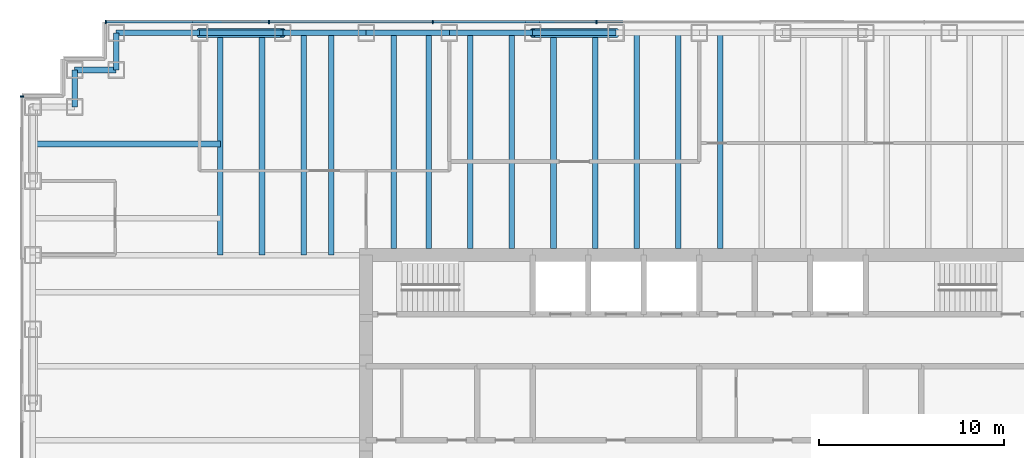
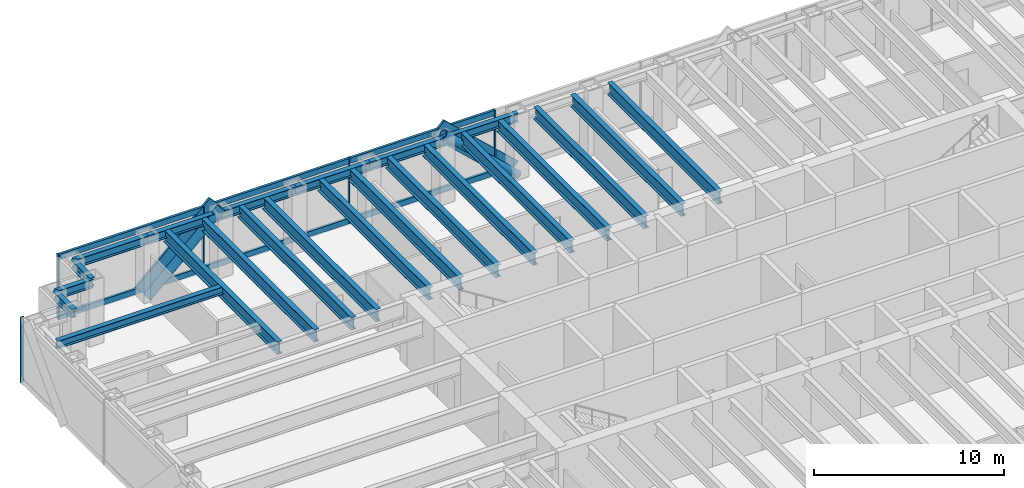
# One storey, part 6 of 15: 23 beams, 15 members, 2 elements without a shape of their own.
"""IFC4 building model written with IfcOpenShell, lengths in metres."""

from ifc_helpers import new_model, si_unit, direction, frame, origin, origin_2d, place, context, subcontext, project, spatial, rectangle, hollow_circle, i_section, extrude, material, material_profile, profile_set, type_object, element, aggregate, save


model = new_model("IFC4")

# Units and contexts
model_context = context("Model", 3, precision=1e-05, world=origin(), true_north=direction((0.0, 1.0)))
body_context = subcontext(model_context, "Body", "Model", "MODEL_VIEW")
ifc_project = project(units=[si_unit("LENGTHUNIT", "METRE"), si_unit("AREAUNIT", "SQUARE_METRE"), si_unit("VOLUMEUNIT", "CUBIC_METRE"), si_unit("PLANEANGLEUNIT", "RADIAN"), si_unit("MASSUNIT", "GRAM", prefix="KILO")], contexts=[model_context])

# Site, building, storey
site_placement = place(None, origin())
site = spatial("IfcSite", under=ifc_project, at=site_placement, CompositionType="ELEMENT")
building_placement = place(site_placement, origin())
building = spatial("IfcBuilding", under=site, at=building_placement, Name="Rheinbord Bourse Tower", CompositionType="ELEMENT")
storey_placement = place(building_placement, frame((0.0, 0.0, 308.89990234375)))
storey = spatial("IfcBuildingStorey", under=building, at=storey_placement, Name="L70", CompositionType="ELEMENT", Elevation=308.89990234375)

# Curtain wall, members
ifc_material_1 = material(Name="Dark glass and black aluminium", Category="aluminium")
curtain_wall_type = type_object("IfcCurtainWallType", Name="CW3 DARK GLASS CURTAIN WALL", PredefinedType="USERDEFINED", material=ifc_material_1)
curtain_wall_1_placement = place(storey_placement, origin())
curtain_wall_1 = element("IfcCurtainWall", 1, at=curtain_wall_1_placement, inside=storey, type_object=curtain_wall_type, Name="Curtain wall CW3 N L70", ObjectType="UNITISED CURTAIN WALL", PredefinedType="USERDEFINED")
ifc_material_2 = material(Name="Black anodised aluminium", Category="aluminium")
ifc_material_profile_1 = material_profile(ifc_material_2, rectangle(XDim=0.14990234375, YDim=1.10791015625, at=origin_2d()), Name="CW3 DIAGONAL MULLION 1108x150")
ifc_profile_set_1 = profile_set([ifc_material_profile_1], Name="Black anodised aluminium")
member_type_1 = type_object("IfcMemberType", Name="CW3 BLACK DIAGONAL MULLION", PredefinedType="USERDEFINED", material=ifc_profile_set_1)
member_1_placement = place(storey_placement, frame((9.0, 44.60009765625, 0.0), z_axis=(0.731039441158, 0.0, 0.682335207557), x_axis=(0.0, 1.0, 0.0)))
member_1 = element("IfcMember", 2, at=member_1_placement, type_object=member_type_1, Name="CW3 diagonal mullion b", ObjectType="DIAGONAL MULLION", PredefinedType="USERDEFINED", context=body_context, shape_type="SweptSolid", body=[
    extrude(rectangle(XDim=0.14990234375, YDim=1.10791015625, at=origin_2d()), origin(), (0.0, 0.0, 1.0), 6.155517578125),
])
member_2_placement = place(storey_placement, frame((31.5, 44.60009765625, 0.0), z_axis=(-0.731039441158, 0.0, 0.682335207557), x_axis=(0.0, -1.0, 0.0)))
member_2 = element("IfcMember", 3, at=member_2_placement, type_object=member_type_1, Name="CW3 diagonal mullion c", ObjectType="DIAGONAL MULLION", PredefinedType="USERDEFINED", context=body_context, shape_type="SweptSolid", body=[
    extrude(rectangle(XDim=0.14990234375, YDim=1.10791015625, at=origin_2d()), origin(), (0.0, 0.0, 1.0), 6.155517578125),
])
ifc_material_3 = material(Name="Black anodised aluminium", Category="aluminium")
ifc_material_profile_2 = material_profile(ifc_material_3, rectangle(XDim=0.199951171875, YDim=0.06494140625, at=origin_2d()), Name="CW3 MULLION 65x200")
ifc_profile_set_2 = profile_set([ifc_material_profile_2], Name="Black anodised aluminium")
member_type_2 = type_object("IfcMemberType", Name="CW3 BLACK MULLION", PredefinedType="MULLION", material=ifc_profile_set_2)
member_3_placement = place(storey_placement, frame((30.449951171875, 44.60009765625, 0.0), z_axis=(0.0, 0.0, 1.0), x_axis=(0.0, -1.0, 0.0)))
member_3 = element("IfcMember", 4, at=member_3_placement, type_object=member_type_2, Name="CW3 mullion 5", PredefinedType="MULLION", context=body_context, shape_type="SweptSolid", body=[
    extrude(rectangle(XDim=0.199951171875, YDim=0.06494140625, at=origin_2d()), origin(), (0.0, 0.0, 1.0), 4.2001953125),
])
member_4_placement = place(storey_placement, frame((21.60009765625, 44.60009765625, 0.0), z_axis=(0.0, 0.0, 1.0), x_axis=(0.0, -1.0, 0.0)))
member_4 = element("IfcMember", 5, at=member_4_placement, type_object=member_type_2, Name="CW3 mullion 6", PredefinedType="MULLION", context=body_context, shape_type="SweptSolid", body=[
    extrude(rectangle(XDim=0.199951171875, YDim=0.06494140625, at=origin_2d()), origin(), (0.0, 0.0, 1.0), 4.2001953125),
])
member_5_placement = place(storey_placement, frame((12.75, 44.60009765625, 0.0), z_axis=(0.0, 0.0, 1.0), x_axis=(0.0, -1.0, 0.0)))
member_5 = element("IfcMember", 6, at=member_5_placement, type_object=member_type_2, Name="CW3 mullion 7", PredefinedType="MULLION", context=body_context, shape_type="SweptSolid", body=[
    extrude(rectangle(XDim=0.199951171875, YDim=0.06494140625, at=origin_2d()), origin(), (0.0, 0.0, 1.0), 4.2001953125),
])
member_6_placement = place(storey_placement, frame((3.9326171875, 44.60009765625, 0.0), z_axis=(0.0, 0.0, 1.0), x_axis=(0.0, -1.0, 0.0)))
member_6 = element("IfcMember", 7, at=member_6_placement, type_object=member_type_2, Name="CW3 mullion 8", PredefinedType="MULLION", context=body_context, shape_type="SweptSolid", body=[
    extrude(rectangle(XDim=0.199951171875, YDim=0.06494140625, at=origin_2d()), origin(), (0.0, 0.0, 1.0), 4.2001953125),
])

# Curtain wall, member
curtain_wall_2_placement = place(storey_placement, origin())
curtain_wall_2 = element("IfcCurtainWall", 8, at=curtain_wall_2_placement, inside=storey, type_object=curtain_wall_type, Name="Curtain wall CW3 W L70", ObjectType="UNITISED CURTAIN WALL", PredefinedType="USERDEFINED")
member_7_placement = place(storey_placement, frame((-0.60009765625, 40.5673828125, 0.0), z_axis=(0.0, 0.0, 1.0), x_axis=(1.0, 0.0, 0.0)))
member_7 = element("IfcMember", 9, at=member_7_placement, type_object=member_type_2, Name="CW3 mullion 1", PredefinedType="MULLION", context=body_context, shape_type="SweptSolid", body=[
    extrude(rectangle(XDim=0.199951171875, YDim=0.06494140625, at=origin_2d()), origin(), (0.0, 0.0, 1.0), 4.2001953125),
])
aggregate(curtain_wall_2, [member_7])

# Member
ifc_material_4 = material(Name="Black anodised aluminium", Category="aluminium")
ifc_material_profile_3 = material_profile(ifc_material_4, rectangle(XDim=0.14990234375, YDim=0.35009765625, at=origin_2d()), Name="CW3 TRANSOM 350x150")
ifc_profile_set_3 = profile_set([ifc_material_profile_3], Name="Black anodised aluminium")
member_type_3 = type_object("IfcMemberType", Name="CW3 BLACK TRANSOM", PredefinedType="USERDEFINED", material=ifc_profile_set_3)
member_8_placement = place(storey_placement, frame((30.41748046875, 44.60009765625, 0.175048828125), z_axis=(-1.0, 0.0, 0.0), x_axis=(0.0, -1.0, 0.0)))
member_8 = element("IfcMember", 10, at=member_8_placement, type_object=member_type_3, Name="CW3 transom 5.1", ObjectType="TRANSOM", PredefinedType="USERDEFINED", context=body_context, shape_type="SweptSolid", body=[
    extrude(rectangle(XDim=0.14990234375, YDim=0.35009765625, at=origin_2d()), origin(), (0.0, 0.0, 1.0), 8.784912109375),
])

member_9_placement = place(storey_placement, frame((30.41748046875, 44.60009765625, 4.025146484375), z_axis=(-1.0, 0.0, 0.0), x_axis=(0.0, -1.0, 0.0)))
member_9 = element("IfcMember", 11, at=member_9_placement, type_object=member_type_3, Name="CW3 transom 5.2", ObjectType="TRANSOM", PredefinedType="USERDEFINED", context=body_context, shape_type="SweptSolid", body=[
    extrude(rectangle(XDim=0.14990234375, YDim=0.35009765625, at=origin_2d()), origin(), (0.0, 0.0, 1.0), 8.784912109375),
])

member_10_placement = place(storey_placement, frame((21.5673828125, 44.60009765625, 0.175048828125), z_axis=(-1.0, 0.0, 0.0), x_axis=(0.0, -1.0, 0.0)))
member_10 = element("IfcMember", 12, at=member_10_placement, type_object=member_type_3, Name="CW3 transom 6.1", ObjectType="TRANSOM", PredefinedType="USERDEFINED", context=body_context, shape_type="SweptSolid", body=[
    extrude(rectangle(XDim=0.14990234375, YDim=0.35009765625, at=origin_2d()), origin(), (0.0, 0.0, 1.0), 8.784912109375),
])

member_11_placement = place(storey_placement, frame((21.5673828125, 44.60009765625, 4.025146484375), z_axis=(-1.0, 0.0, 0.0), x_axis=(0.0, -1.0, 0.0)))
member_11 = element("IfcMember", 13, at=member_11_placement, type_object=member_type_3, Name="CW3 transom 6.2", ObjectType="TRANSOM", PredefinedType="USERDEFINED", context=body_context, shape_type="SweptSolid", body=[
    extrude(rectangle(XDim=0.14990234375, YDim=0.35009765625, at=origin_2d()), origin(), (0.0, 0.0, 1.0), 8.784912109375),
])

member_12_placement = place(storey_placement, frame((12.717529296875, 44.60009765625, 0.175048828125), z_axis=(-1.0, 0.0, 0.0), x_axis=(0.0, -1.0, 0.0)))
member_12 = element("IfcMember", 14, at=member_12_placement, type_object=member_type_3, Name="CW3 transom 7.1", ObjectType="TRANSOM", PredefinedType="USERDEFINED", context=body_context, shape_type="SweptSolid", body=[
    extrude(rectangle(XDim=0.14990234375, YDim=0.35009765625, at=origin_2d()), origin(), (0.0, 0.0, 1.0), 8.75244140625),
])

member_13_placement = place(storey_placement, frame((12.717529296875, 44.60009765625, 4.025146484375), z_axis=(-1.0, 0.0, 0.0), x_axis=(0.0, -1.0, 0.0)))
member_13 = element("IfcMember", 15, at=member_13_placement, type_object=member_type_3, Name="CW3 transom 7.2", ObjectType="TRANSOM", PredefinedType="USERDEFINED", context=body_context, shape_type="SweptSolid", body=[
    extrude(rectangle(XDim=0.14990234375, YDim=0.35009765625, at=origin_2d()), origin(), (0.0, 0.0, 1.0), 8.75244140625),
])

aggregate(curtain_wall_1, [member_3, member_4, member_5, member_6, member_8, member_9, member_10, member_11, member_12, member_13, member_1, member_2])

# Beams
ifc_material_5 = material(Name="Steel S460", Category="steel")
ifc_material_profile_4 = material_profile(ifc_material_5, i_section(OverallWidth=0.300048828125, OverallDepth=0.800048828125, WebThickness=0.017578125, FlangeThickness=0.032958984375, at=origin_2d()), Name="HEB 800")
ifc_profile_set_4 = profile_set([ifc_material_profile_4], Name="Steel S460")
beam_type_1 = type_object("IfcBeamType", Name="FLOOR BEAM HEB 800", PredefinedType="BEAM", material=ifc_profile_set_4)
for number, where, z_axis, x_axis, name in (
    (16, (10.125, 44.0, 3.64013671875), (0.0, -1.0, 0.0), (1.0, 0.0, 0.0), "Floor beam N-9a L71"),
    (17, (12.375, 44.0, 3.64013671875), (0.0, -1.0, 0.0), (1.0, 0.0, 0.0), "Floor beam N-9b L71"),
    (18, (14.625, 44.0, 3.64013671875), (0.0, -1.0, 0.0), (1.0, 0.0, 0.0), "Floor beam N-13.5a L71"),
    (19, (16.125, 44.0, 3.64013671875), (0.0, -1.0, 0.0), (1.0, 0.0, 0.0), "Floor beam N-13.5b L71"),
):
    element("IfcBeam", number, at=place(storey_placement, frame(where, z_axis=z_axis, x_axis=x_axis)), inside=storey, type_object=beam_type_1, Name=name, PredefinedType="BEAM", context=body_context, shape_type="SweptSolid", body=[
        extrude(i_section(OverallWidth=0.300048828125, OverallDepth=0.800048828125, WebThickness=0.017578125, FlangeThickness=0.032958984375, at=origin_2d()), origin(), (0.0, 0.0, 1.0), 12.0),
    ])
for number, where, z_axis, x_axis, name in (
    (20, (19.5, 44.0, 3.64013671875), (0.0, -1.0, 0.0), (1.0, 0.0, 0.0), "Floor beam N-18a L71"),
    (21, (21.375, 44.0, 3.64013671875), (0.0, -1.0, 0.0), (1.0, 0.0, 0.0), "Floor beam N-18b L71"),
    (22, (23.625, 44.0, 3.64013671875), (0.0, -1.0, 0.0), (1.0, 0.0, 0.0), "Floor beam N-22.5a L71"),
    (23, (25.875, 44.0, 3.64013671875), (0.0, -1.0, 0.0), (1.0, 0.0, 0.0), "Floor beam N-22.5b L71"),
    (24, (28.125, 44.0, 3.64013671875), (0.0, -1.0, 0.0), (1.0, 0.0, 0.0), "Floor beam N-27a L71"),
    (25, (30.375, 44.0, 3.64013671875), (0.0, -1.0, 0.0), (1.0, 0.0, 0.0), "Floor beam N-27b L71"),
    (26, (32.625, 44.0, 3.64013671875), (0.0, -1.0, 0.0), (1.0, 0.0, 0.0), "Floor beam N-31.5a L71"),
    (27, (34.875, 44.0, 3.64013671875), (0.0, -1.0, 0.0), (1.0, 0.0, 0.0), "Floor beam N-31.5b L71"),
    (28, (37.125, 44.0, 3.64013671875), (0.0, -1.0, 0.0), (1.0, 0.0, 0.0), "Floor beam N-36a L71"),
):
    element("IfcBeam", number, at=place(storey_placement, frame(where, z_axis=z_axis, x_axis=x_axis)), inside=storey, type_object=beam_type_1, Name=name, PredefinedType="BEAM", context=body_context, shape_type="SweptSolid", body=[
        extrude(i_section(OverallWidth=0.300048828125, OverallDepth=0.800048828125, WebThickness=0.017578125, FlangeThickness=0.032958984375, at=origin_2d()), origin(), (0.0, 0.0, 1.0), 11.64990234375),
    ])

# Members
ifc_material_6 = material(Name="Steel S460", Category="steel")
ifc_material_profile_5 = material_profile(ifc_material_6, hollow_circle(Radius=0.25390625, WallThickness=0.030029296875, at=origin_2d()), Name="CHS 508x30")
ifc_profile_set_5 = profile_set([ifc_material_profile_5], Name="Steel S460")
member_type_4 = type_object("IfcMemberType", Name="MEGABRACE CHS 508x30", PredefinedType="BRACE", material=ifc_profile_set_5)
for number, where, z_axis, x_axis, name in (
    (29, (9.0, 44.0, 0.0), (0.731039441158, 0.0, 0.682335207557), (0.0, 1.0, 0.0), "Megabrace N face line b L70"),
    (30, (31.5, 44.0, 0.0), (-0.731039441158, 0.0, 0.682335207557), (0.0, -1.0, 0.0), "Megabrace N face line c L70"),
):
    element("IfcMember", number, at=place(storey_placement, frame(where, z_axis=z_axis, x_axis=x_axis)), inside=storey, type_object=member_type_4, Name=name, PredefinedType="BRACE", context=body_context, shape_type="SweptSolid", body=[
        extrude(hollow_circle(Radius=0.25390625, WallThickness=0.030029296875, at=origin_2d()), origin(), (0.0, 0.0, 1.0), 6.155517578125),
    ])

# Beams
ifc_material_7 = material(Name="Steel S460", Category="steel")
ifc_material_profile_6 = material_profile(ifc_material_7, i_section(OverallWidth=0.300048828125, OverallDepth=0.550048828125, WebThickness=0.014892578125, FlangeThickness=0.029052734375, at=origin_2d()), Name="HEB 550")
ifc_profile_set_6 = profile_set([ifc_material_profile_6], Name="Steel S460")
beam_type_2 = type_object("IfcBeamType", Name="SPANDREL HEB 550", PredefinedType="SPANDREL", material=ifc_profile_set_6)
for number, where, z_axis, x_axis, name in (
    (31, (31.5, 44.0, 3.76513671875), (-1.0, 0.0, 0.0), (0.0, -1.0, 0.0), "Spandrel N-31.5-N-27 under L71"),
    (32, (27.0, 44.0, 3.76513671875), (-1.0, 0.0, 0.0), (0.0, -1.0, 0.0), "Spandrel N-27-N-22.5 under L71"),
    (33, (22.5, 44.0, 3.76513671875), (-1.0, 0.0, 0.0), (0.0, -1.0, 0.0), "Spandrel N-22.5-N-18 under L71"),
    (34, (18.0, 44.0, 3.76513671875), (-1.0, 0.0, 0.0), (0.0, -1.0, 0.0), "Spandrel N-18-N-13.5 under L71"),
    (35, (13.5, 44.0, 3.76513671875), (-1.0, 0.0, 0.0), (0.0, -1.0, 0.0), "Spandrel N-13.5-N-9 under L71"),
    (36, (9.0, 44.0, 3.76513671875), (-1.0, 0.0, 0.0), (0.0, -1.0, 0.0), "Spandrel N-9-NW-E under L71"),
):
    element("IfcBeam", number, at=place(storey_placement, frame(where, z_axis=z_axis, x_axis=x_axis)), inside=storey, type_object=beam_type_2, Name=name, PredefinedType="SPANDREL", context=body_context, shape_type="SweptSolid", body=[
        extrude(i_section(OverallWidth=0.300048828125, OverallDepth=0.550048828125, WebThickness=0.014892578125, FlangeThickness=0.029052734375, at=origin_2d()), origin(), (0.0, 0.0, 1.0), 4.5),
    ])
beam_1_placement = place(storey_placement, frame((4.5, 44.0, 3.76513671875), z_axis=(0.0, -1.0, 0.0), x_axis=(1.0, 0.0, 0.0)))
element("IfcBeam", 37, at=beam_1_placement, inside=storey, type_object=beam_type_2, Name="Spandrel NW-E-NW-D under L71", PredefinedType="SPANDREL", context=body_context, shape_type="SweptSolid", body=[
    extrude(i_section(OverallWidth=0.300048828125, OverallDepth=0.550048828125, WebThickness=0.014892578125, FlangeThickness=0.029052734375, at=origin_2d()), origin(), (0.0, 0.0, 1.0), 2.0),
])
beam_2_placement = place(storey_placement, frame((4.5, 42.0, 3.76513671875), z_axis=(-1.0, 0.0, 0.0), x_axis=(0.0, -1.0, 0.0)))
element("IfcBeam", 38, at=beam_2_placement, inside=storey, type_object=beam_type_2, Name="Spandrel NW-D-NW-C under L71", PredefinedType="SPANDREL", context=body_context, shape_type="SweptSolid", body=[
    extrude(i_section(OverallWidth=0.300048828125, OverallDepth=0.550048828125, WebThickness=0.014892578125, FlangeThickness=0.029052734375, at=origin_2d()), origin(), (0.0, 0.0, 1.0), 2.25),
])
beam_3_placement = place(storey_placement, frame((2.25, 42.0, 3.76513671875), z_axis=(0.0, -1.0, 0.0), x_axis=(1.0, 0.0, 0.0)))
element("IfcBeam", 39, at=beam_3_placement, inside=storey, type_object=beam_type_2, Name="Spandrel NW-C-NW-B under L71", PredefinedType="SPANDREL", context=body_context, shape_type="SweptSolid", body=[
    extrude(i_section(OverallWidth=0.300048828125, OverallDepth=0.550048828125, WebThickness=0.014892578125, FlangeThickness=0.029052734375, at=origin_2d()), origin(), (0.0, 0.0, 1.0), 2.0),
])
ifc_material_8 = material(Name="Steel S460", Category="steel")
ifc_material_profile_7 = material_profile(ifc_material_8, i_section(OverallWidth=0.300048828125, OverallDepth=0.5, WebThickness=0.014404296875, FlangeThickness=0.028076171875, at=origin_2d()), Name="HEB 500")
ifc_profile_set_7 = profile_set([ifc_material_profile_7], Name="Steel S460")
beam_type_3 = type_object("IfcBeamType", Name="TIE BEAM HEB 500", PredefinedType="JOIST", material=ifc_profile_set_7)
beam_4_placement = place(storey_placement, frame((0.0, 38.0, 3.7900390625), z_axis=(1.0, 0.0, 0.0), x_axis=(0.0, 1.0, 0.0)))
element("IfcBeam", 40, at=beam_4_placement, inside=storey, type_object=beam_type_3, Name="Tie west 38 L71", PredefinedType="JOIST", context=body_context, shape_type="SweptSolid", body=[
    extrude(i_section(OverallWidth=0.300048828125, OverallDepth=0.5, WebThickness=0.014404296875, FlangeThickness=0.028076171875, at=origin_2d()), origin(), (0.0, 0.0, 1.0), 10.125),
])

save(model, "model.ifc")
